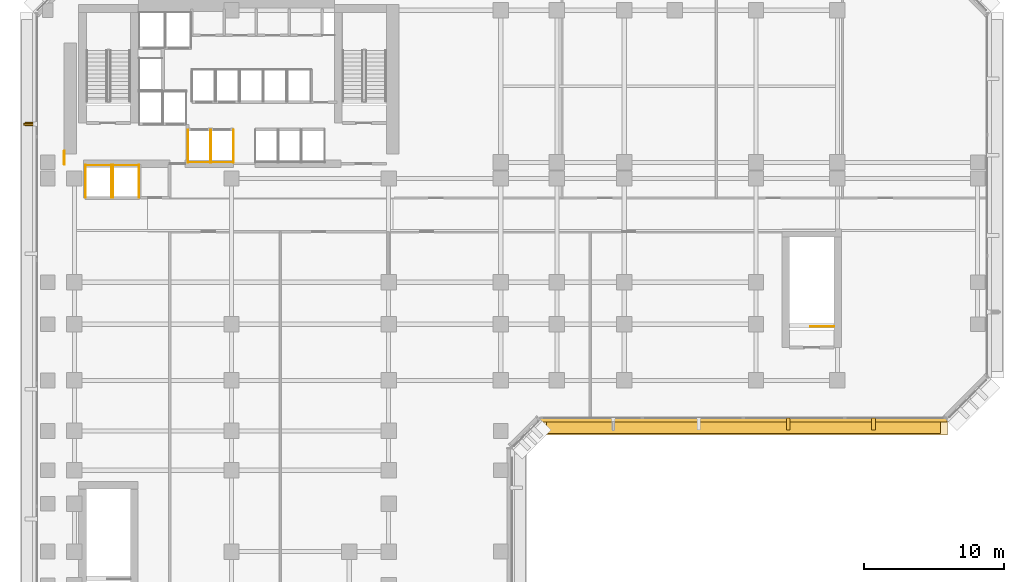
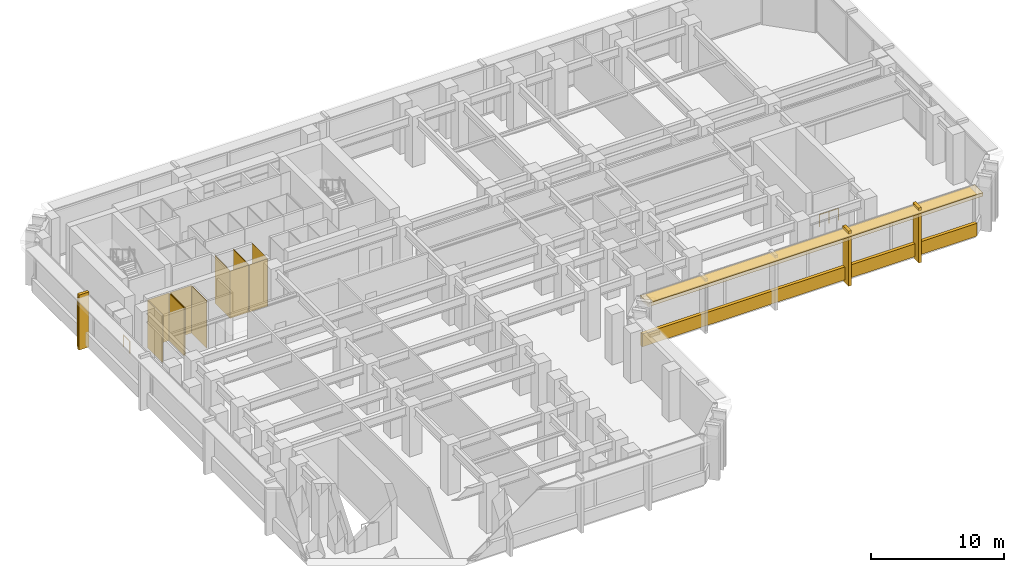
# One storey, part 11 of 14: 17 coverings, 2 railings, 2 shading devices.
"""IFC4 building model written with IfcOpenShell, lengths in metres."""

from ifc_helpers import new_model, si_unit, direction, frame, origin, origin_2d, place, context, subcontext, project, spatial, polyline, rectangle, circle, outline, extrude, material, layer, layer_set, material_profile, profile_set, type_object, element, save


model = new_model("IFC4")

# Units and contexts
model_context = context("Model", 3, precision=1e-05, world=origin(), true_north=direction((0.0, 1.0)))
body_context = subcontext(model_context, "Body", "Model", "MODEL_VIEW")
ifc_project = project(units=[si_unit("LENGTHUNIT", "METRE"), si_unit("AREAUNIT", "SQUARE_METRE"), si_unit("VOLUMEUNIT", "CUBIC_METRE"), si_unit("PLANEANGLEUNIT", "RADIAN"), si_unit("MASSUNIT", "GRAM", prefix="KILO")], contexts=[model_context])

# Site, building, storey
site_placement = place(None, origin())
site = spatial("IfcSite", under=ifc_project, at=site_placement, CompositionType="ELEMENT")
building_placement = place(site_placement, origin())
building = spatial("IfcBuilding", under=site, at=building_placement, Name="Kefirva Bronze Tower", CompositionType="ELEMENT")
storey_placement = place(building_placement, frame((0.0, 0.0, 25.739990234375)))
storey = spatial("IfcBuildingStorey", under=building, at=storey_placement, Name="L05", CompositionType="ELEMENT", Elevation=25.739990234375)

# Coverings
ifc_material_1 = material(Name="Bronze anodised aluminium", Category="aluminium")
ifc_layer_1 = layer(ifc_material_1, 0.02001953125, Name="Bronze anodised aluminium")
ifc_layer_set_1 = layer_set([ifc_layer_1], Name="Bronze anodised aluminium")
covering_type_1 = type_object("IfcCoveringType", Name="Anodised Bronze Spandrel Cladding 20mm", PredefinedType="CLADDING", material=ifc_layer_set_1)
covering_1_placement = place(storey_placement, frame((48.5, 15.9599609375, -0.16015625), z_axis=(0.0, 0.0, 1.0), x_axis=(1.0, 0.0, 0.0)))
element("IfcCovering", 1, at=covering_1_placement, inside=storey, type_object=covering_type_1, Name="L05 Streamline Horizontal Spandrel Band 4", PredefinedType="CLADDING", context=body_context, shape_type="SweptSolid", body=[
    extrude(rectangle(XDim=29.0400390625, YDim=0.280029296875, at=origin_2d()), origin(), (0.0, 0.0, 1.0), 1.179931640625),
])
covering_2_placement = place(storey_placement, origin())
element("IfcCovering", 2, at=covering_2_placement, inside=storey, type_object=covering_type_1, Name="L05 Lift OB1 Hoistway Liner N", PredefinedType="CLADDING", context=body_context, shape_type="SweptSolid", body=[
    extrude(outline(polyline([(1.580078125, 34.139892578125), (3.469970703125, 34.139892578125), (3.469970703125, 34.159912109375), (1.580078125, 34.159912109375), (1.580078125, 34.139892578125)])), origin(), (0.0, 0.0, 1.0), 4.3701171875),
])
covering_3_placement = place(storey_placement, origin())
element("IfcCovering", 3, at=covering_3_placement, inside=storey, type_object=covering_type_1, Name="L05 Lift OB1 Hoistway Liner W", PredefinedType="CLADDING", context=body_context, shape_type="SweptSolid", body=[
    extrude(outline(polyline([(1.590087890625, 31.830078125), (1.610107421875, 31.830078125), (1.610107421875, 34.169921875), (1.590087890625, 34.169921875), (1.590087890625, 31.830078125)])), origin(), (0.0, 0.0, 1.0), 4.3701171875),
])
covering_4_placement = place(storey_placement, origin())
element("IfcCovering", 4, at=covering_4_placement, inside=storey, type_object=covering_type_1, Name="L05 Lift OB1 Hoistway Liner E", PredefinedType="CLADDING", context=body_context, shape_type="SweptSolid", body=[
    extrude(outline(polyline([(3.43994140625, 31.830078125), (3.4599609375, 31.830078125), (3.4599609375, 34.169921875), (3.43994140625, 34.169921875), (3.43994140625, 31.830078125)])), origin(), (0.0, 0.0, 1.0), 4.3701171875),
])
covering_5_placement = place(storey_placement, origin())
element("IfcCovering", 5, at=covering_5_placement, inside=storey, type_object=covering_type_1, Name="L05 Lift OB2 Hoistway Liner N", PredefinedType="CLADDING", context=body_context, shape_type="SweptSolid", body=[
    extrude(outline(polyline([(3.530029296875, 34.139892578125), (5.419921875, 34.139892578125), (5.419921875, 34.159912109375), (3.530029296875, 34.159912109375), (3.530029296875, 34.139892578125)])), origin(), (0.0, 0.0, 1.0), 4.3701171875),
])
covering_6_placement = place(storey_placement, origin())
element("IfcCovering", 6, at=covering_6_placement, inside=storey, type_object=covering_type_1, Name="L05 Lift OB2 Hoistway Liner W", PredefinedType="CLADDING", context=body_context, shape_type="SweptSolid", body=[
    extrude(outline(polyline([(3.5400390625, 31.830078125), (3.56005859375, 31.830078125), (3.56005859375, 34.169921875), (3.5400390625, 34.169921875), (3.5400390625, 31.830078125)])), origin(), (0.0, 0.0, 1.0), 4.3701171875),
])
covering_7_placement = place(storey_placement, origin())
element("IfcCovering", 7, at=covering_7_placement, inside=storey, type_object=covering_type_1, Name="L05 Lift OB2 Hoistway Liner E", PredefinedType="CLADDING", context=body_context, shape_type="SweptSolid", body=[
    extrude(outline(polyline([(5.389892578125, 31.830078125), (5.409912109375, 31.830078125), (5.409912109375, 34.169921875), (5.389892578125, 34.169921875), (5.389892578125, 31.830078125)])), origin(), (0.0, 0.0, 1.0), 4.3701171875),
])
covering_8_placement = place(storey_placement, origin())
element("IfcCovering", 8, at=covering_8_placement, inside=storey, type_object=covering_type_1, Name="L05 Lift LP1 Hoistway Liner S", PredefinedType="CLADDING", context=body_context, shape_type="SweptSolid", body=[
    extrude(outline(polyline([(8.8798828125, 34.340087890625), (10.52001953125, 34.340087890625), (10.52001953125, 34.360107421875), (8.8798828125, 34.360107421875), (8.8798828125, 34.340087890625)])), origin(), (0.0, 0.0, 1.0), 4.3701171875),
])
covering_9_placement = place(storey_placement, origin())
element("IfcCovering", 9, at=covering_9_placement, inside=storey, type_object=covering_type_1, Name="L05 Lift LP1 Hoistway Liner W", PredefinedType="CLADDING", context=body_context, shape_type="SweptSolid", body=[
    extrude(outline(polyline([(8.889892578125, 34.330078125), (8.909912109375, 34.330078125), (8.909912109375, 36.669921875), (8.889892578125, 36.669921875), (8.889892578125, 34.330078125)])), origin(), (0.0, 0.0, 1.0), 4.3701171875),
])
covering_10_placement = place(storey_placement, origin())
element("IfcCovering", 10, at=covering_10_placement, inside=storey, type_object=covering_type_1, Name="L05 Lift LP1 Hoistway Liner E", PredefinedType="CLADDING", context=body_context, shape_type="SweptSolid", body=[
    extrude(outline(polyline([(10.489990234375, 34.330078125), (10.510009765625, 34.330078125), (10.510009765625, 36.669921875), (10.489990234375, 36.669921875), (10.489990234375, 34.330078125)])), origin(), (0.0, 0.0, 1.0), 4.3701171875),
])
covering_11_placement = place(storey_placement, origin())
element("IfcCovering", 11, at=covering_11_placement, inside=storey, type_object=covering_type_1, Name="L05 Lift LP2 Hoistway Liner S", PredefinedType="CLADDING", context=body_context, shape_type="SweptSolid", body=[
    extrude(outline(polyline([(10.52001953125, 34.340087890625), (12.159912109375, 34.340087890625), (12.159912109375, 34.360107421875), (10.52001953125, 34.360107421875), (10.52001953125, 34.340087890625)])), origin(), (0.0, 0.0, 1.0), 4.3701171875),
])
covering_12_placement = place(storey_placement, origin())
element("IfcCovering", 12, at=covering_12_placement, inside=storey, type_object=covering_type_1, Name="L05 Lift LP2 Hoistway Liner W", PredefinedType="CLADDING", context=body_context, shape_type="SweptSolid", body=[
    extrude(outline(polyline([(10.530029296875, 34.330078125), (10.550048828125, 34.330078125), (10.550048828125, 36.669921875), (10.530029296875, 36.669921875), (10.530029296875, 34.330078125)])), origin(), (0.0, 0.0, 1.0), 4.3701171875),
])
covering_13_placement = place(storey_placement, origin())
element("IfcCovering", 13, at=covering_13_placement, inside=storey, type_object=covering_type_1, Name="L05 Lift LP2 Hoistway Liner E", PredefinedType="CLADDING", context=body_context, shape_type="SweptSolid", body=[
    extrude(outline(polyline([(12.1298828125, 34.330078125), (12.14990234375, 34.330078125), (12.14990234375, 36.669921875), (12.1298828125, 36.669921875), (12.1298828125, 34.330078125)])), origin(), (0.0, 0.0, 1.0), 4.3701171875),
])

# Railings
ifc_material_2 = material(Name="Stainless steel 316", Category="steel")
railing_type = type_object("IfcRailingType", Name="Interior Stair Guardrail 1100mm", PredefinedType="GUARDRAIL", material=ifc_material_2)
railing_1_placement = place(storey_placement, frame((54.949951171875, 22.64990234375, 0.0)))
element("IfcRailing", 14, at=railing_1_placement, inside=storey, type_object=railing_type, Name="L05 ST-4 top well guard 1", PredefinedType="GUARDRAIL", context=body_context, shape_type="SweptSolid", body=[
    extrude(circle(Radius=0.02392578125, at=origin_2d()), frame((0.0, 0.0, 1.076171875), z_axis=(-1.0, 0.0, 0.0), x_axis=(0.0, -1.0, 0.0)), (0.0, 0.0, 1.0), 1.64990234375),
    extrude(circle(Radius=0.02099609375, at=origin_2d()), origin(), (0.0, 0.0, 1.0), 1.052001953125),
    extrude(circle(Radius=0.02099609375, at=origin_2d()), frame((-0.824951171875, 0.0, 0.0)), (0.0, 0.0, 1.0), 1.052001953125),
    extrude(circle(Radius=0.02099609375, at=origin_2d()), frame((-1.64990234375, 0.0, 0.0)), (0.0, 0.0, 1.0), 1.052001953125),
])
railing_2_placement = place(storey_placement, frame((0.080078125, 34.199951171875, 0.0)))
element("IfcRailing", 15, at=railing_2_placement, inside=storey, type_object=railing_type, Name="L05 West Core Junction Guardrail", PredefinedType="GUARDRAIL", context=body_context, shape_type="SweptSolid", body=[
    extrude(circle(Radius=0.02392578125, at=origin_2d()), frame((0.0, 0.0, 1.076171875), z_axis=(0.0, 1.0, 0.0), x_axis=(-1.0, 0.0, 0.0)), (0.0, 0.0, 1.0), 0.949951171875),
    extrude(circle(Radius=0.02099609375, at=origin_2d()), origin(), (0.0, 0.0, 1.0), 1.052001953125),
    extrude(circle(Radius=0.02099609375, at=origin_2d()), frame((0.0, 0.949951171875, 0.0)), (0.0, 0.0, 1.0), 1.052001953125),
])

# Shading device
ifc_layer_2 = layer(ifc_material_1, 0.1201171875, Name="Bronze anodised aluminium")
ifc_layer_set_2 = layer_set([ifc_layer_2], Name="Bronze anodised aluminium")
shading_device_type_1 = type_object("IfcShadingDeviceType", Name="Podium Deep Bronze Canopy Sunshade 1050mm", PredefinedType="JALOUSIE", material=ifc_layer_set_2)
shading_device_1_placement = place(storey_placement, frame((48.5, 15.554931640625, 4.26513671875), z_axis=(0.0, 0.0, 1.0), x_axis=(1.0, 0.0, 0.0)))
element("IfcShadingDevice", 16, at=shading_device_1_placement, inside=storey, type_object=shading_device_type_1, Name="L05 Horizontal Bronze Sunshade Band 4", PredefinedType="JALOUSIE", context=body_context, shape_type="SweptSolid", body=[
    extrude(rectangle(XDim=28.090087890625, YDim=1.050048828125, at=origin_2d()), origin(), (0.0, 0.0, 1.0), 0.090087890625),
])

# Coverings
ifc_layer_3 = layer(ifc_material_1, 0.179931640625, Name="Bronze anodised aluminium")
ifc_layer_set_3 = layer_set([ifc_layer_3], Name="Bronze anodised aluminium")
covering_type_2 = type_object("IfcCoveringType", Name="Streamline Bronze Sunshade Eyebrow Cladding 180mm", PredefinedType="CLADDING", material=ifc_layer_set_3)
covering_14_placement = place(storey_placement, frame((48.5, 15.5400390625, 4.0498046875), z_axis=(0.0, 0.0, 1.0), x_axis=(1.0, 0.0, 0.0)))
element("IfcCovering", 17, at=covering_14_placement, inside=storey, type_object=covering_type_2, Name="L05 Streamline Bronze Sunshade Eyebrow 4", PredefinedType="CLADDING", context=body_context, shape_type="SweptSolid", body=[
    extrude(rectangle(XDim=29.080078125, YDim=1.239990234375, at=origin_2d()), origin(), (0.0, 0.0, 1.0), 0.320068359375),
])
ifc_layer_4 = layer(ifc_material_1, 0.260009765625, Name="Bronze anodised aluminium")
ifc_layer_set_4 = layer_set([ifc_layer_4], Name="Bronze anodised aluminium")
covering_type_3 = type_object("IfcCoveringType", Name="Unbroken Bronze Buttress Fin Cladding 260mm", PredefinedType="CLADDING", material=ifc_layer_set_4)
for number, where, z_axis, x_axis, name in (
    (18, (51.68994140625, 15.699951171875, -0.419921875), (0.0, 0.0, 1.0), (1.0, 0.0, 0.0), "L05 Unbroken Vertical Bronze Rib Fin 13"),
    (19, (57.780029296875, 15.699951171875, -0.419921875), (0.0, 0.0, 1.0), (1.0, 0.0, 0.0), "L05 Unbroken Vertical Bronze Rib Fin 14"),
    (20, (-2.300048828125, 37.080078125, -0.419921875), (0.0, 0.0, 1.0), (0.0, -1.0, 0.0), "L05 Unbroken Vertical Bronze Rib Fin 29"),
):
    element("IfcCovering", number, at=place(storey_placement, frame(where, z_axis=z_axis, x_axis=x_axis)), inside=storey, type_object=covering_type_3, Name=name, PredefinedType="CLADDING", context=body_context, shape_type="SweptSolid", body=[
        extrude(rectangle(XDim=0.260009765625, YDim=0.8798828125, at=origin_2d()), origin(), (0.0, 0.0, 1.0), 5.0400390625),
    ])

# Shading device
ifc_material_profile = material_profile(ifc_material_1, rectangle(XDim=0.139892578125, YDim=0.8798828125, at=origin_2d()), Name="BRONZE FIN 140x880")
ifc_profile_set = profile_set([ifc_material_profile], Name="Bronze anodised aluminium")
shading_device_type_2 = type_object("IfcShadingDeviceType", Name="Unbroken Vertical Bronze Facade Fin 880mm", PredefinedType="USERDEFINED", material=ifc_profile_set)
shading_device_2_placement = place(storey_placement, frame((-2.360107421875, 37.080078125, -0.139892578125), z_axis=(0.0, 0.0, 1.0), x_axis=(0.0, -1.0, 0.0)))
element("IfcShadingDevice", 21, at=shading_device_2_placement, inside=storey, type_object=shading_device_type_2, Name="L05 Vertical Bronze Rib Fin 29", ObjectType="VERTICAL FIN", PredefinedType="USERDEFINED", context=body_context, shape_type="SweptSolid", body=[
    extrude(rectangle(XDim=0.139892578125, YDim=0.8798828125, at=origin_2d()), origin(), (0.0, 0.0, 1.0), 4.510009765625),
])

save(model, "model.ifc")
